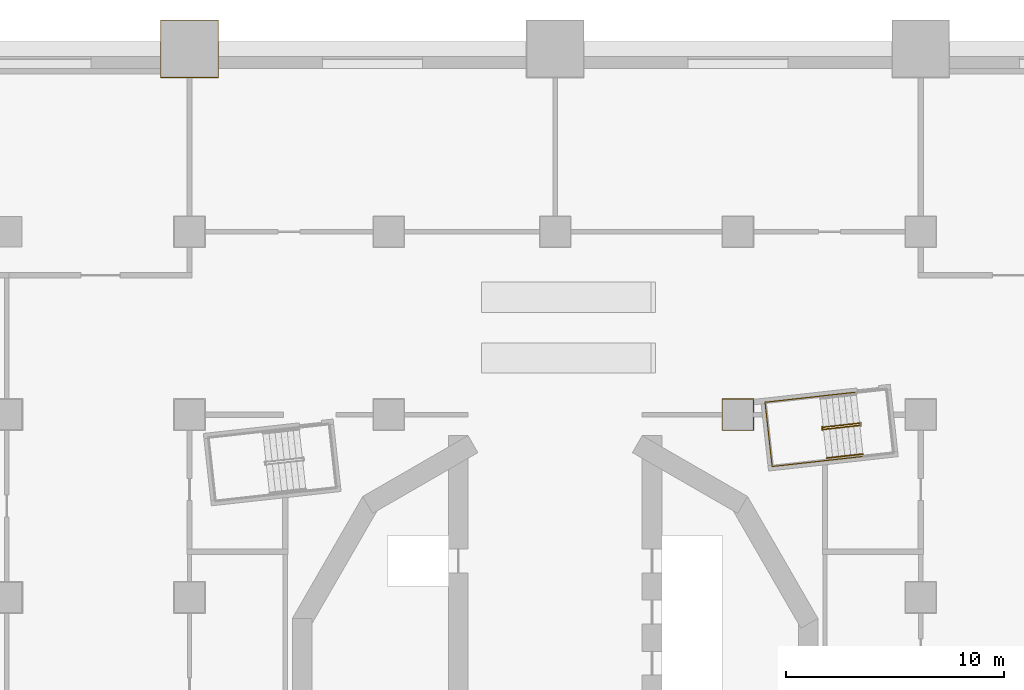
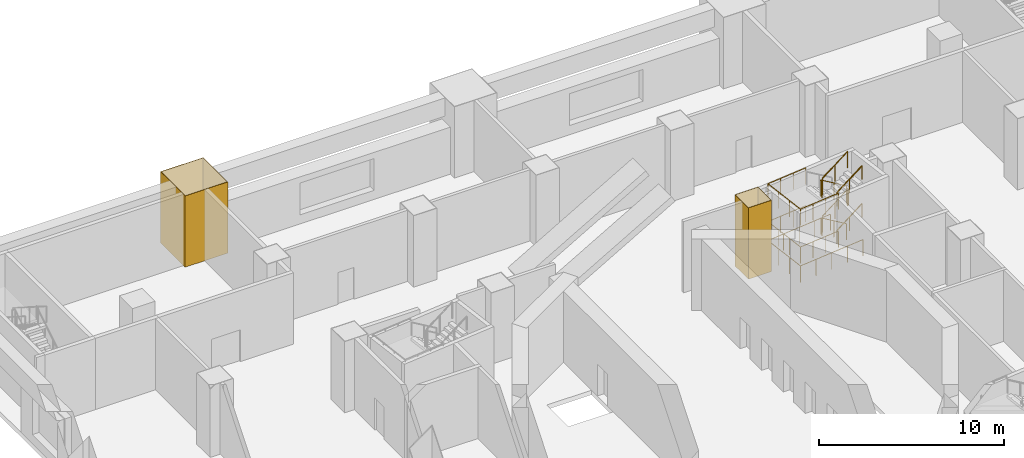
# One storey, part 14 of 19: 9 railings, 2 coverings.
"""IFC4 building model written with IfcOpenShell, lengths in metres."""

from ifc_helpers import new_model, si_unit, direction, frame, origin, origin_2d, place, context, subcontext, project, spatial, polyline, circle, outline, extrude, material, layer, layer_set, type_object, element, save


model = new_model("IFC4")

# Units and contexts
model_context = context("Model", 3, precision=1e-05, world=origin(), true_north=direction((0.0, 1.0)))
body_context = subcontext(model_context, "Body", "Model", "MODEL_VIEW")
ifc_project = project(units=[si_unit("LENGTHUNIT", "METRE"), si_unit("AREAUNIT", "SQUARE_METRE"), si_unit("VOLUMEUNIT", "CUBIC_METRE"), si_unit("PLANEANGLEUNIT", "RADIAN"), si_unit("MASSUNIT", "GRAM", prefix="KILO")], contexts=[model_context])

# Site, building, storey
site_placement = place(None, origin())
site = spatial("IfcSite", under=ifc_project, at=site_placement, CompositionType="ELEMENT")
building_placement = place(site_placement, origin())
building = spatial("IfcBuilding", under=site, at=building_placement, Name="Cantera Rosa Tower", CompositionType="ELEMENT")
storey_placement = place(building_placement, frame((0.0, 0.0, 12.0)))
storey = spatial("IfcBuildingStorey", under=building, at=storey_placement, Name="L01", CompositionType="ELEMENT", Elevation=12.0)

# Coverings
ifc_material_1 = material(Name="Plaster")
ifc_layer = layer(ifc_material_1, 0.030029296875)
ifc_layer_set = layer_set([ifc_layer], Name="Column casing 30")
covering_type = type_object("IfcCoveringType", Name="Column casing 30", PredefinedType="CLADDING", material=ifc_layer_set)
covering_1_placement = place(storey_placement, origin())
element("IfcCovering", 1, at=covering_1_placement, inside=storey, type_object=covering_type, Name="Column casing L01-012", PredefinedType="CLADDING", context=body_context, shape_type="SweptSolid", body=[
    extrude(outline(polyline([(-18.1298828125, 28.070068359375), (-15.469970703125, 28.070068359375), (-15.469970703125, 30.72998046875), (-18.1298828125, 30.72998046875), (-18.1298828125, 28.070068359375)]), holes=[polyline([(-15.5, 30.699951171875), (-18.10009765625, 30.699951171875), (-18.10009765625, 28.10009765625), (-15.5, 28.10009765625), (-15.5, 30.699951171875)])]), origin(), (0.0, 0.0, 1.0), 4.699951171875),
])
covering_2_placement = place(storey_placement, origin())
element("IfcCovering", 2, at=covering_2_placement, inside=storey, type_object=covering_type, Name="Column casing L01-022", PredefinedType="CLADDING", context=body_context, shape_type="SweptSolid", body=[
    extrude(outline(polyline([(7.669921875, 11.8701171875), (9.1298828125, 11.8701171875), (9.1298828125, 13.330078125), (7.669921875, 13.330078125), (7.669921875, 11.8701171875)]), holes=[polyline([(9.10009765625, 13.300048828125), (7.699951171875, 13.300048828125), (7.699951171875, 11.89990234375), (9.10009765625, 11.89990234375), (9.10009765625, 13.300048828125)])]), origin(), (0.0, 0.0, 1.0), 4.699951171875),
])

# Railings
ifc_material_2 = material(Name="Steel S355J2 (EN 10025-2)", Category="steel")
railing_type_1 = type_object("IfcRailingType", Name="STAIR GUARD 1100", PredefinedType="GUARDRAIL", material=ifc_material_2)
railing_1_placement = place(storey_placement, frame((13.986083984375, 12.203125, 0.178466796875)))
element("IfcRailing", 3, at=railing_1_placement, inside=storey, type_object=railing_type_1, Name="L01 ST-11 stair guard 1", PredefinedType="GUARDRAIL", context=body_context, shape_type="SweptSolid", body=[
    extrude(circle(Radius=0.02392578125, at=origin_2d()), frame((0.0, 0.0, 1.076171875), z_axis=(-0.837950904326, -0.092996744609, 0.537763784046), x_axis=(0.110303920128, -0.993897904819, 0.0)), (0.0, 0.0, 1.0), 1.99267578125),
    extrude(circle(Radius=0.02392578125, at=origin_2d()), frame((-1.669677734375, -0.185302734375, 2.1474609375), z_axis=(-0.933456941688, 0.358689472963, 0.0), x_axis=(-0.358689472963, -0.933456941688, 0.0)), (0.0, 0.0, 1.0), 0.056396484375),
    extrude(circle(Radius=0.02392578125, at=origin_2d()), frame((-1.722412109375, -0.1650390625, 2.1474609375), z_axis=(0.110789159685, -0.993843932464, 0.0), x_axis=(0.993843932464, 0.110789159685, 0.0)), (0.0, 0.0, 1.0), 0.14990234375),
    extrude(circle(Radius=0.02099609375, at=origin_2d()), origin(), (0.0, 0.0, 1.0), 1.052001953125),
    extrude(circle(Radius=0.02099609375, at=origin_2d()), frame((-0.8349609375, -0.0927734375, 0.53564453125)), (0.0, 0.0, 1.0), 1.052001953125),
    extrude(circle(Radius=0.02099609375, at=origin_2d()), frame((-1.669677734375, -0.185302734375, 1.071533203125)), (0.0, 0.0, 1.0), 1.052001953125),
    extrude(circle(Radius=0.02099609375, at=origin_2d()), frame((-1.722412109375, -0.1650390625, 1.071533203125)), (0.0, 0.0, 1.0), 1.052001953125),
    extrude(circle(Radius=0.02099609375, at=origin_2d()), frame((-1.705810546875, -0.31396484375, 1.071533203125)), (0.0, 0.0, 1.0), 1.052001953125),
])
railing_2_placement = place(storey_placement, frame((12.3271484375, 11.92041015625, 1.428466796875)))
element("IfcRailing", 4, at=railing_2_placement, inside=storey, type_object=railing_type_1, Name="L01 ST-11 stair guard 2", PredefinedType="GUARDRAIL", context=body_context, shape_type="SweptSolid", body=[
    extrude(circle(Radius=0.02392578125, at=origin_2d()), frame((0.0, 0.0, 1.076171875), z_axis=(0.837950904326, 0.092996744609, 0.537763784046), x_axis=(-0.110303920128, 0.993897904819, 0.0)), (0.0, 0.0, 1.0), 1.99267578125),
    extrude(circle(Radius=0.02392578125, at=origin_2d()), frame((1.669677734375, 0.185302734375, 2.1474609375), z_axis=(0.932897555956, -0.360141847183, 0.0), x_axis=(0.360141847183, 0.932897555956, 0.0)), (0.0, 0.0, 1.0), 0.05615234375),
    extrude(circle(Radius=0.02392578125, at=origin_2d()), frame((1.72216796875, 0.1650390625, 2.1474609375), z_axis=(-0.109179471459, 0.994022053584, 0.0), x_axis=(-0.994022053584, -0.109179471459, 0.0)), (0.0, 0.0, 1.0), 0.14990234375),
    extrude(circle(Radius=0.02099609375, at=origin_2d()), origin(), (0.0, 0.0, 1.0), 1.052001953125),
    extrude(circle(Radius=0.02099609375, at=origin_2d()), frame((0.8349609375, 0.0927734375, 0.53564453125)), (0.0, 0.0, 1.0), 1.052001953125),
    extrude(circle(Radius=0.02099609375, at=origin_2d()), frame((1.669677734375, 0.185302734375, 1.071533203125)), (0.0, 0.0, 1.0), 1.052001953125),
    extrude(circle(Radius=0.02099609375, at=origin_2d()), frame((1.72216796875, 0.1650390625, 1.071533203125)), (0.0, 0.0, 1.0), 1.052001953125),
    extrude(circle(Radius=0.02099609375, at=origin_2d()), frame((1.705810546875, 0.31396484375, 1.071533203125)), (0.0, 0.0, 1.0), 1.052001953125),
])
railing_3_placement = place(storey_placement, frame((13.986083984375, 12.203125, 2.678466796875)))
element("IfcRailing", 5, at=railing_3_placement, inside=storey, type_object=railing_type_1, Name="L01 ST-11 stair guard 3", PredefinedType="GUARDRAIL", context=body_context, shape_type="SweptSolid", body=[
    extrude(circle(Radius=0.02392578125, at=origin_2d()), frame((0.0, 0.0, 1.076171875), z_axis=(-0.837950904326, -0.092996744609, 0.537763784046), x_axis=(0.110303920128, -0.993897904819, 0.0)), (0.0, 0.0, 1.0), 1.99267578125),
    extrude(circle(Radius=0.02392578125, at=origin_2d()), frame((-1.669677734375, -0.185302734375, 2.1474609375), z_axis=(-0.933456941688, 0.358689472963, 0.0), x_axis=(-0.358689472963, -0.933456941688, 0.0)), (0.0, 0.0, 1.0), 0.056396484375),
    extrude(circle(Radius=0.02392578125, at=origin_2d()), frame((-1.722412109375, -0.1650390625, 2.1474609375), z_axis=(0.110789159685, -0.993843932464, 0.0), x_axis=(0.993843932464, 0.110789159685, 0.0)), (0.0, 0.0, 1.0), 0.14990234375),
    extrude(circle(Radius=0.02099609375, at=origin_2d()), origin(), (0.0, 0.0, 1.0), 1.052001953125),
    extrude(circle(Radius=0.02099609375, at=origin_2d()), frame((-0.8349609375, -0.0927734375, 0.53564453125)), (0.0, 0.0, 1.0), 1.052001953125),
    extrude(circle(Radius=0.02099609375, at=origin_2d()), frame((-1.669677734375, -0.185302734375, 1.071533203125)), (0.0, 0.0, 1.0), 1.052001953125),
    extrude(circle(Radius=0.02099609375, at=origin_2d()), frame((-1.722412109375, -0.1650390625, 1.071533203125)), (0.0, 0.0, 1.0), 1.052001953125),
    extrude(circle(Radius=0.02099609375, at=origin_2d()), frame((-1.705810546875, -0.31396484375, 1.071533203125)), (0.0, 0.0, 1.0), 1.052001953125),
])
railing_4_placement = place(storey_placement, frame((12.3271484375, 11.92041015625, 3.928466796875)))
element("IfcRailing", 6, at=railing_4_placement, inside=storey, type_object=railing_type_1, Name="L01 ST-11 stair guard 4", PredefinedType="GUARDRAIL", context=body_context, shape_type="SweptSolid", body=[
    extrude(circle(Radius=0.02392578125, at=origin_2d()), frame((0.0, 0.0, 1.076171875), z_axis=(0.837950904326, 0.092996744609, 0.537763784046), x_axis=(-0.110303920128, 0.993897904819, 0.0)), (0.0, 0.0, 1.0), 1.99267578125),
    extrude(circle(Radius=0.02099609375, at=origin_2d()), origin(), (0.0, 0.0, 1.0), 1.052001953125),
    extrude(circle(Radius=0.02099609375, at=origin_2d()), frame((0.8349609375, 0.0927734375, 0.53564453125)), (0.0, 0.0, 1.0), 1.052001953125),
    extrude(circle(Radius=0.02099609375, at=origin_2d()), frame((1.669677734375, 0.185302734375, 1.071533203125)), (0.0, 0.0, 1.0), 1.052001953125),
])
railing_5_placement = place(storey_placement, frame((13.815673828125, 13.629150390625, 0.0)))
element("IfcRailing", 7, at=railing_5_placement, inside=storey, type_object=railing_type_1, Name="L01 ST-11 stair guard 6", PredefinedType="GUARDRAIL", context=body_context, shape_type="SweptSolid", body=[
    extrude(circle(Radius=0.02392578125, at=origin_2d()), frame((0.0, 0.0, 1.076171875), z_axis=(-0.9938957856, -0.110323013767, 0.0), x_axis=(0.110323013767, -0.9938957856, 0.0)), (0.0, 0.0, 1.0), 4.197998046875),
    extrude(circle(Radius=0.02392578125, at=origin_2d()), frame((-4.17236328125, -0.463134765625, 1.076171875), z_axis=(0.110314237986, -0.993896759678, 0.0), x_axis=(0.993896759678, 0.110314237986, 0.0)), (0.0, 0.0, 1.0), 2.969970703125),
    extrude(circle(Radius=0.02392578125, at=origin_2d()), frame((-3.8447265625, -3.4150390625, 1.076171875), z_axis=(0.9938957856, 0.110323013767, 0.0), x_axis=(-0.110323013767, 0.9938957856, 0.0)), (0.0, 0.0, 1.0), 4.197998046875),
    extrude(circle(Radius=0.02099609375, at=origin_2d()), origin(), (0.0, 0.0, 1.0), 1.052001953125),
    extrude(circle(Radius=0.02099609375, at=origin_2d()), frame((-1.04296875, -0.11572265625, 0.0)), (0.0, 0.0, 1.0), 1.052001953125),
    extrude(circle(Radius=0.02099609375, at=origin_2d()), frame((-2.086181640625, -0.2314453125, 0.0)), (0.0, 0.0, 1.0), 1.052001953125),
    extrude(circle(Radius=0.02099609375, at=origin_2d()), frame((-3.12939453125, -0.347412109375, 0.0)), (0.0, 0.0, 1.0), 1.052001953125),
    extrude(circle(Radius=0.02099609375, at=origin_2d()), frame((-4.17236328125, -0.463134765625, 0.0)), (0.0, 0.0, 1.0), 1.052001953125),
    extrude(circle(Radius=0.02099609375, at=origin_2d()), frame((-4.063232421875, -1.447021484375, 0.0)), (0.0, 0.0, 1.0), 1.052001953125),
    extrude(circle(Radius=0.02099609375, at=origin_2d()), frame((-3.953857421875, -2.43115234375, 0.0)), (0.0, 0.0, 1.0), 1.052001953125),
    extrude(circle(Radius=0.02099609375, at=origin_2d()), frame((-3.8447265625, -3.4150390625, 0.0)), (0.0, 0.0, 1.0), 1.052001953125),
    extrude(circle(Radius=0.02099609375, at=origin_2d()), frame((-2.8017578125, -3.29931640625, 0.0)), (0.0, 0.0, 1.0), 1.052001953125),
    extrude(circle(Radius=0.02099609375, at=origin_2d()), frame((-1.758544921875, -3.18359375, 0.0)), (0.0, 0.0, 1.0), 1.052001953125),
    extrude(circle(Radius=0.02099609375, at=origin_2d()), frame((-0.71533203125, -3.067626953125, 0.0)), (0.0, 0.0, 1.0), 1.052001953125),
    extrude(circle(Radius=0.02099609375, at=origin_2d()), frame((0.32763671875, -2.951904296875, 0.0)), (0.0, 0.0, 1.0), 1.052001953125),
])
railing_6_placement = place(storey_placement, frame((12.169921875, 13.4462890625, 1.25)))
element("IfcRailing", 8, at=railing_6_placement, inside=storey, type_object=railing_type_1, Name="L01 ST-11 stair guard 7", PredefinedType="GUARDRAIL", context=body_context, shape_type="SweptSolid", body=[
    extrude(circle(Radius=0.02392578125, at=origin_2d()), frame((0.0, 0.0, 1.076171875), z_axis=(-0.993903628964, -0.110252330278, 0.0), x_axis=(0.110252330278, -0.993903628964, 0.0)), (0.0, 0.0, 1.0), 2.5419921875),
    extrude(circle(Radius=0.02392578125, at=origin_2d()), frame((-2.526611328125, -0.2802734375, 1.076171875), z_axis=(0.110314237986, -0.993896759678, 0.0), x_axis=(0.993896759678, 0.110314237986, 0.0)), (0.0, 0.0, 1.0), 2.969970703125),
    extrude(circle(Radius=0.02392578125, at=origin_2d()), frame((-2.198974609375, -3.232177734375, 1.076171875), z_axis=(0.993903628964, 0.110252330278, 0.0), x_axis=(-0.110252330278, 0.993903628964, 0.0)), (0.0, 0.0, 1.0), 2.5419921875),
    extrude(circle(Radius=0.02099609375, at=origin_2d()), origin(), (0.0, 0.0, 1.0), 1.052001953125),
    extrude(circle(Radius=0.02099609375, at=origin_2d()), frame((-0.84228515625, -0.093505859375, 0.0)), (0.0, 0.0, 1.0), 1.052001953125),
    extrude(circle(Radius=0.02099609375, at=origin_2d()), frame((-1.684326171875, -0.186767578125, 0.0)), (0.0, 0.0, 1.0), 1.052001953125),
    extrude(circle(Radius=0.02099609375, at=origin_2d()), frame((-2.526611328125, -0.2802734375, 0.0)), (0.0, 0.0, 1.0), 1.052001953125),
    extrude(circle(Radius=0.02099609375, at=origin_2d()), frame((-2.41748046875, -1.26416015625, 0.0)), (0.0, 0.0, 1.0), 1.052001953125),
    extrude(circle(Radius=0.02099609375, at=origin_2d()), frame((-2.30810546875, -2.248291015625, 0.0)), (0.0, 0.0, 1.0), 1.052001953125),
    extrude(circle(Radius=0.02099609375, at=origin_2d()), frame((-2.198974609375, -3.232177734375, 0.0)), (0.0, 0.0, 1.0), 1.052001953125),
    extrude(circle(Radius=0.02099609375, at=origin_2d()), frame((-1.356689453125, -3.138671875, 0.0)), (0.0, 0.0, 1.0), 1.052001953125),
    extrude(circle(Radius=0.02099609375, at=origin_2d()), frame((-0.5146484375, -3.04541015625, 0.0)), (0.0, 0.0, 1.0), 1.052001953125),
    extrude(circle(Radius=0.02099609375, at=origin_2d()), frame((0.32763671875, -2.951904296875, 0.0)), (0.0, 0.0, 1.0), 1.052001953125),
])
railing_7_placement = place(storey_placement, frame((12.169921875, 13.4462890625, 3.75)))
element("IfcRailing", 9, at=railing_7_placement, inside=storey, type_object=railing_type_1, Name="L01 ST-11 stair guard 9", PredefinedType="GUARDRAIL", context=body_context, shape_type="SweptSolid", body=[
    extrude(circle(Radius=0.02392578125, at=origin_2d()), frame((0.0, 0.0, 1.076171875), z_axis=(-0.993903628964, -0.110252330278, 0.0), x_axis=(0.110252330278, -0.993903628964, 0.0)), (0.0, 0.0, 1.0), 2.5419921875),
    extrude(circle(Radius=0.02392578125, at=origin_2d()), frame((-2.526611328125, -0.2802734375, 1.076171875), z_axis=(0.110314237986, -0.993896759678, 0.0), x_axis=(0.993896759678, 0.110314237986, 0.0)), (0.0, 0.0, 1.0), 2.969970703125),
    extrude(circle(Radius=0.02392578125, at=origin_2d()), frame((-2.198974609375, -3.232177734375, 1.076171875), z_axis=(0.993903628964, 0.110252330278, 0.0), x_axis=(-0.110252330278, 0.993903628964, 0.0)), (0.0, 0.0, 1.0), 2.5419921875),
    extrude(circle(Radius=0.02099609375, at=origin_2d()), origin(), (0.0, 0.0, 1.0), 1.052001953125),
    extrude(circle(Radius=0.02099609375, at=origin_2d()), frame((-0.84228515625, -0.093505859375, 0.0)), (0.0, 0.0, 1.0), 1.052001953125),
    extrude(circle(Radius=0.02099609375, at=origin_2d()), frame((-1.684326171875, -0.186767578125, 0.0)), (0.0, 0.0, 1.0), 1.052001953125),
    extrude(circle(Radius=0.02099609375, at=origin_2d()), frame((-2.526611328125, -0.2802734375, 0.0)), (0.0, 0.0, 1.0), 1.052001953125),
    extrude(circle(Radius=0.02099609375, at=origin_2d()), frame((-2.41748046875, -1.26416015625, 0.0)), (0.0, 0.0, 1.0), 1.052001953125),
    extrude(circle(Radius=0.02099609375, at=origin_2d()), frame((-2.30810546875, -2.248291015625, 0.0)), (0.0, 0.0, 1.0), 1.052001953125),
    extrude(circle(Radius=0.02099609375, at=origin_2d()), frame((-2.198974609375, -3.232177734375, 0.0)), (0.0, 0.0, 1.0), 1.052001953125),
    extrude(circle(Radius=0.02099609375, at=origin_2d()), frame((-1.356689453125, -3.138671875, 0.0)), (0.0, 0.0, 1.0), 1.052001953125),
    extrude(circle(Radius=0.02099609375, at=origin_2d()), frame((-0.5146484375, -3.04541015625, 0.0)), (0.0, 0.0, 1.0), 1.052001953125),
    extrude(circle(Radius=0.02099609375, at=origin_2d()), frame((0.32763671875, -2.951904296875, 0.0)), (0.0, 0.0, 1.0), 1.052001953125),
])
ifc_material_3 = material(Name="Steel S355J2 (EN 10025-2)", Category="steel")
railing_type_2 = type_object("IfcRailingType", Name="STAIR HANDRAIL 900", PredefinedType="HANDRAIL", material=ifc_material_3)
for number, where, name in (
    (10, (12.473388671875, 10.6025390625, 1.428466796875), "L01 ST-11 stair handrail 2"),
    (11, (12.473388671875, 10.6025390625, 3.928466796875), "L01 ST-11 stair handrail 4"),
):
    element("IfcRailing", number, at=place(storey_placement, frame(where)), inside=storey, type_object=railing_type_2, Name=name, PredefinedType="HANDRAIL", context=body_context, shape_type="SweptSolid", body=[
        extrude(circle(Radius=0.02392578125, at=origin_2d()), frame((0.0, 0.0, 0.8759765625), z_axis=(0.837950904326, 0.092996744609, 0.537763784046), x_axis=(-0.110303920128, 0.993897904819, 0.0)), (0.0, 0.0, 1.0), 1.99267578125),
        extrude(circle(Radius=0.02099609375, at=origin_2d()), origin(), (0.0, 0.0, 1.0), 0.851806640625),
        extrude(circle(Radius=0.02099609375, at=origin_2d()), frame((0.8349609375, 0.0927734375, 0.53564453125)), (0.0, 0.0, 1.0), 0.851806640625),
        extrude(circle(Radius=0.02099609375, at=origin_2d()), frame((1.669677734375, 0.185302734375, 1.071533203125)), (0.0, 0.0, 1.0), 0.851806640625),
    ])

save(model, "model.ifc")
